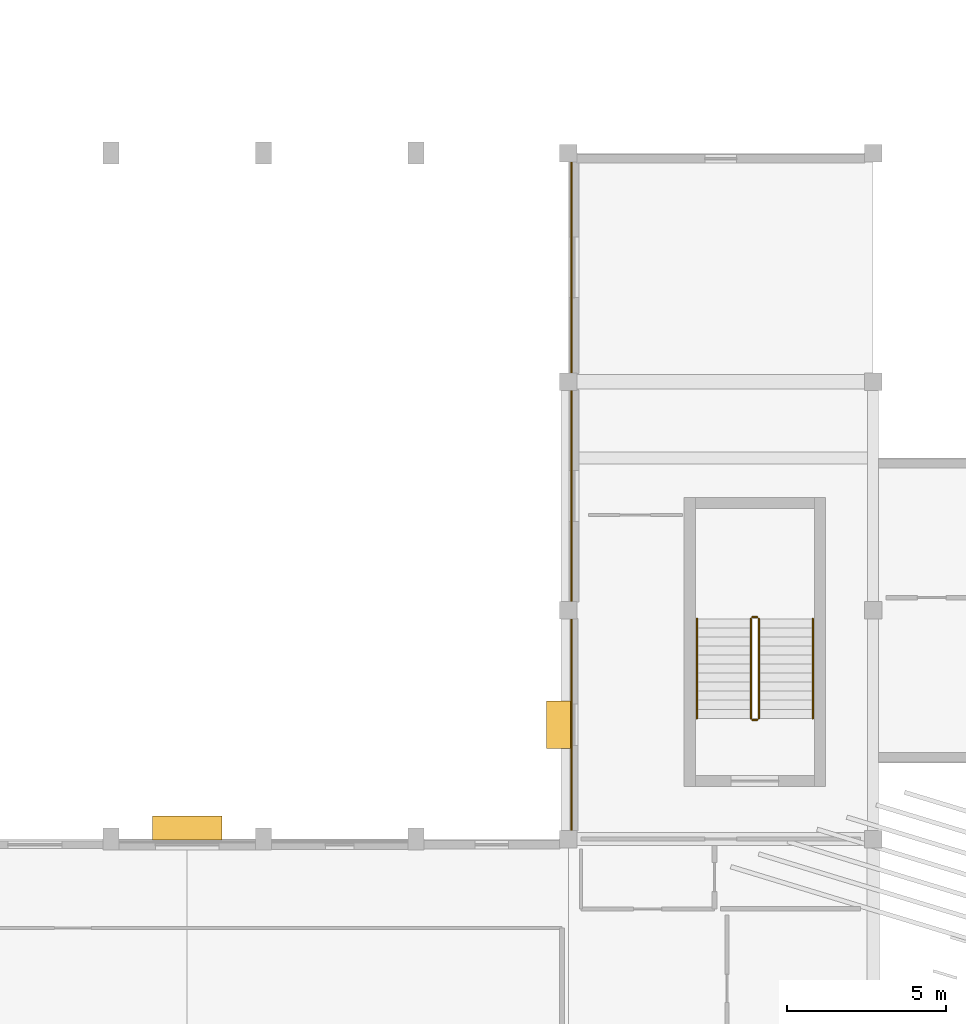
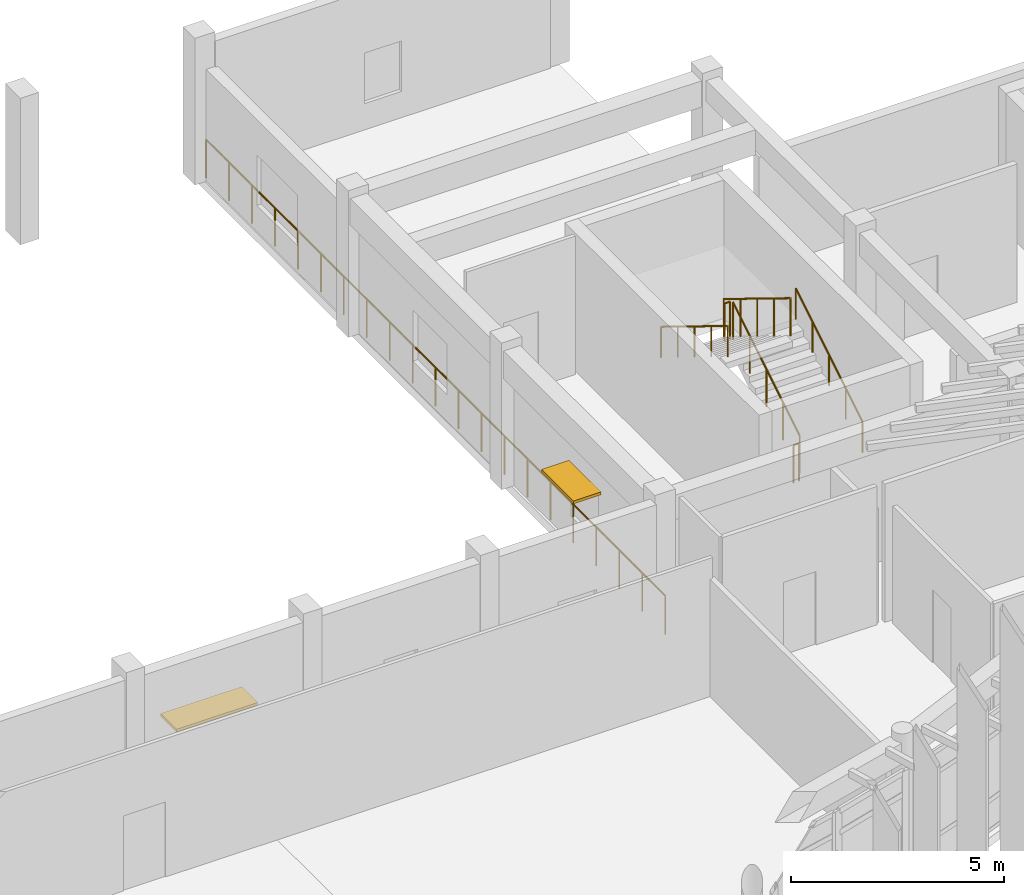
# One storey, part 42 of 47: 7 railings, 2 shading devices.
"""IFC4 building model written with IfcOpenShell, lengths in metres."""

from ifc_helpers import new_model, si_unit, direction, frame, origin, origin_2d, place, context, subcontext, project, spatial, rectangle, circle, extrude, material, layer, layer_set, type_object, element, save


model = new_model("IFC4")

# Units and contexts
model_context = context("Model", 3, precision=1e-05, world=origin(), true_north=direction((0.0, 1.0)))
body_context = subcontext(model_context, "Body", "Model", "MODEL_VIEW")
ifc_project = project(units=[si_unit("LENGTHUNIT", "METRE"), si_unit("AREAUNIT", "SQUARE_METRE"), si_unit("VOLUMEUNIT", "CUBIC_METRE"), si_unit("PLANEANGLEUNIT", "RADIAN"), si_unit("MASSUNIT", "GRAM", prefix="KILO")], contexts=[model_context])

# Site, building, storey
site_placement = place(None, origin())
site = spatial("IfcSite", under=ifc_project, at=site_placement, CompositionType="ELEMENT")
building_placement = place(site_placement, origin())
building = spatial("IfcBuilding", under=site, at=building_placement, Name="Brisavento Harbour Community Centre", CompositionType="ELEMENT")
storey_placement = place(building_placement, frame((0.0, 0.0, 8.699951171875)))
storey = spatial("IfcBuildingStorey", under=building, at=storey_placement, Name="L02", CompositionType="ELEMENT", Elevation=8.699951171875)

# Railings
ifc_material_1 = material(Name="Stainless steel 1.4401", Category="steel")
railing_type_1 = type_object("IfcRailingType", Name="RL-ATR-BAL", PredefinedType="BALUSTRADE", material=ifc_material_1)
railing_1_placement = place(storey_placement, frame((40.89990234375, 14.300048828125, 0.0)))
element("IfcRailing", 1, at=railing_1_placement, inside=storey, type_object=railing_type_1, Name="L02 atrium and gallery balustrade BAL-V1-HALL-E", PredefinedType="BALUSTRADE", context=body_context, shape_type="SweptSolid", body=[
    extrude(circle(Radius=0.02392578125, at=origin_2d()), frame((0.0, 0.0, 1.09619140625), z_axis=(0.0, 1.0, 0.0), x_axis=(-1.0, 0.0, 0.0)), (0.0, 0.0, 1.0), 21.550048828125),
    extrude(circle(Radius=0.02099609375, at=origin_2d()), origin(), (0.0, 0.0, 1.0), 1.072021484375),
    extrude(circle(Radius=0.02099609375, at=origin_2d()), frame((0.0, 1.077392578125, 0.0)), (0.0, 0.0, 1.0), 1.072021484375),
    extrude(circle(Radius=0.02099609375, at=origin_2d()), frame((0.0, 2.155029296875, 0.0)), (0.0, 0.0, 1.0), 1.072021484375),
    extrude(circle(Radius=0.02099609375, at=origin_2d()), frame((0.0, 3.232421875, 0.0)), (0.0, 0.0, 1.0), 1.072021484375),
    extrude(circle(Radius=0.02099609375, at=origin_2d()), frame((0.0, 4.31005859375, 0.0)), (0.0, 0.0, 1.0), 1.072021484375),
    extrude(circle(Radius=0.02099609375, at=origin_2d()), frame((0.0, 5.387451171875, 0.0)), (0.0, 0.0, 1.0), 1.072021484375),
    extrude(circle(Radius=0.02099609375, at=origin_2d()), frame((0.0, 6.465087890625, 0.0)), (0.0, 0.0, 1.0), 1.072021484375),
    extrude(circle(Radius=0.02099609375, at=origin_2d()), frame((0.0, 7.54248046875, 0.0)), (0.0, 0.0, 1.0), 1.072021484375),
    extrude(circle(Radius=0.02099609375, at=origin_2d()), frame((0.0, 8.6201171875, 0.0)), (0.0, 0.0, 1.0), 1.072021484375),
    extrude(circle(Radius=0.02099609375, at=origin_2d()), frame((0.0, 9.697509765625, 0.0)), (0.0, 0.0, 1.0), 1.072021484375),
    extrude(circle(Radius=0.02099609375, at=origin_2d()), frame((0.0, 10.77490234375, 0.0)), (0.0, 0.0, 1.0), 1.072021484375),
    extrude(circle(Radius=0.02099609375, at=origin_2d()), frame((0.0, 11.8525390625, 0.0)), (0.0, 0.0, 1.0), 1.072021484375),
    extrude(circle(Radius=0.02099609375, at=origin_2d()), frame((0.0, 12.929931640625, 0.0)), (0.0, 0.0, 1.0), 1.072021484375),
    extrude(circle(Radius=0.02099609375, at=origin_2d()), frame((0.0, 14.007568359375, 0.0)), (0.0, 0.0, 1.0), 1.072021484375),
    extrude(circle(Radius=0.02099609375, at=origin_2d()), frame((0.0, 15.0849609375, 0.0)), (0.0, 0.0, 1.0), 1.072021484375),
    extrude(circle(Radius=0.02099609375, at=origin_2d()), frame((0.0, 16.16259765625, 0.0)), (0.0, 0.0, 1.0), 1.072021484375),
    extrude(circle(Radius=0.02099609375, at=origin_2d()), frame((0.0, 17.239990234375, 0.0)), (0.0, 0.0, 1.0), 1.072021484375),
    extrude(circle(Radius=0.02099609375, at=origin_2d()), frame((0.0, 18.317626953125, 0.0)), (0.0, 0.0, 1.0), 1.072021484375),
    extrude(circle(Radius=0.02099609375, at=origin_2d()), frame((0.0, 19.39501953125, 0.0)), (0.0, 0.0, 1.0), 1.072021484375),
    extrude(circle(Radius=0.02099609375, at=origin_2d()), frame((0.0, 20.47265625, 0.0)), (0.0, 0.0, 1.0), 1.072021484375),
    extrude(circle(Radius=0.02099609375, at=origin_2d()), frame((0.0, 21.550048828125, 0.0)), (0.0, 0.0, 1.0), 1.072021484375),
])
railing_type_2 = type_object("IfcRailingType", Name="RL-ST-GUARD", PredefinedType="GUARDRAIL", material=ifc_material_1)
railing_2_placement = place(storey_placement, frame((46.800048828125, 18.199951171875, 0.175048828125)))
element("IfcRailing", 2, at=railing_2_placement, inside=storey, type_object=railing_type_2, Name="L02 ST-02 stair guard 1", PredefinedType="GUARDRAIL", context=body_context, shape_type="SweptSolid", body=[
    extrude(circle(Radius=0.02392578125, at=origin_2d()), frame((0.0, 0.0, 1.076171875), z_axis=(0.0, 0.852166034122, 0.523271488128), x_axis=(-1.0, 0.0, 0.0)), (0.0, 0.0, 1.0), 3.678955078125),
    extrude(circle(Radius=0.02099609375, at=origin_2d()), origin(), (0.0, 0.0, 1.0), 1.052001953125),
    extrude(circle(Radius=0.02099609375, at=origin_2d()), frame((0.0, 0.78369140625, 0.481201171875)), (0.0, 0.0, 1.0), 1.052001953125),
    extrude(circle(Radius=0.02099609375, at=origin_2d()), frame((0.0, 1.5673828125, 0.96240234375)), (0.0, 0.0, 1.0), 1.052001953125),
    extrude(circle(Radius=0.02099609375, at=origin_2d()), frame((0.0, 2.351318359375, 1.44384765625)), (0.0, 0.0, 1.0), 1.052001953125),
    extrude(circle(Radius=0.02099609375, at=origin_2d()), frame((0.0, 3.135009765625, 1.925048828125)), (0.0, 0.0, 1.0), 1.052001953125),
])
railing_3_placement = place(storey_placement, frame((46.75, 21.385009765625, 2.10009765625)))
element("IfcRailing", 3, at=railing_3_placement, inside=storey, type_object=railing_type_2, Name="L02 ST-02 stair guard 2", PredefinedType="GUARDRAIL", context=body_context, shape_type="SweptSolid", body=[
    extrude(circle(Radius=0.02392578125, at=origin_2d()), frame((0.0, 0.0, 1.076171875), z_axis=(-1.0, 0.0, 0.0), x_axis=(0.0, -1.0, 0.0)), (0.0, 0.0, 1.0), 0.14990234375),
    extrude(circle(Radius=0.02099609375, at=origin_2d()), origin(), (0.0, 0.0, 1.0), 1.052001953125),
    extrude(circle(Radius=0.02099609375, at=origin_2d()), frame((-0.14990234375, 0.0, 0.0)), (0.0, 0.0, 1.0), 1.052001953125),
])
railing_4_placement = place(storey_placement, frame((46.550048828125, 21.3349609375, 2.275146484375)))
element("IfcRailing", 4, at=railing_4_placement, inside=storey, type_object=railing_type_2, Name="L02 ST-02 stair guard 3", PredefinedType="GUARDRAIL", context=body_context, shape_type="SweptSolid", body=[
    extrude(circle(Radius=0.02392578125, at=origin_2d()), frame((0.0, 0.0, 1.076171875), z_axis=(0.0, -0.852195625947, 0.523223293744), x_axis=(1.0, 0.0, 0.0)), (0.0, 0.0, 1.0), 3.6787109375),
    extrude(circle(Radius=0.02099609375, at=origin_2d()), origin(), (0.0, 0.0, 1.0), 1.052001953125),
    extrude(circle(Radius=0.02099609375, at=origin_2d()), frame((0.0, -0.78369140625, 0.481201171875)), (0.0, 0.0, 1.0), 1.052001953125),
    extrude(circle(Radius=0.02099609375, at=origin_2d()), frame((0.0, -1.5673828125, 0.96240234375)), (0.0, 0.0, 1.0), 1.052001953125),
    extrude(circle(Radius=0.02099609375, at=origin_2d()), frame((0.0, -2.351318359375, 1.443603515625)), (0.0, 0.0, 1.0), 1.052001953125),
    extrude(circle(Radius=0.02099609375, at=origin_2d()), frame((0.0, -3.135009765625, 1.9248046875)), (0.0, 0.0, 1.0), 1.052001953125),
])
railing_5_placement = place(storey_placement, frame((46.75, 18.14990234375, 0.0)))
element("IfcRailing", 5, at=railing_5_placement, inside=storey, type_object=railing_type_2, Name="L02 ST-02 stair guard 4", PredefinedType="GUARDRAIL", context=body_context, shape_type="SweptSolid", body=[
    extrude(circle(Radius=0.02392578125, at=origin_2d()), frame((0.0, 0.0, 1.076171875), z_axis=(-1.0, 0.0, 0.0), x_axis=(0.0, -1.0, 0.0)), (0.0, 0.0, 1.0), 0.14990234375),
    extrude(circle(Radius=0.02099609375, at=origin_2d()), origin(), (0.0, 0.0, 1.0), 1.052001953125),
    extrude(circle(Radius=0.02099609375, at=origin_2d()), frame((-0.14990234375, 0.0, 0.0)), (0.0, 0.0, 1.0), 1.052001953125),
])
railing_type_3 = type_object("IfcRailingType", Name="RL-ST-HAND", PredefinedType="HANDRAIL", material=ifc_material_1)
railing_6_placement = place(storey_placement, frame((48.5, 18.199951171875, 0.175048828125)))
element("IfcRailing", 6, at=railing_6_placement, inside=storey, type_object=railing_type_3, Name="L02 ST-02 stair handrail 1", PredefinedType="HANDRAIL", context=body_context, shape_type="SweptSolid", body=[
    extrude(circle(Radius=0.02392578125, at=origin_2d()), frame((0.0, 0.0, 0.8759765625), z_axis=(0.0, 0.852166034122, 0.523271488128), x_axis=(-1.0, 0.0, 0.0)), (0.0, 0.0, 1.0), 3.678955078125),
    extrude(circle(Radius=0.02099609375, at=origin_2d()), origin(), (0.0, 0.0, 1.0), 0.851806640625),
    extrude(circle(Radius=0.02099609375, at=origin_2d()), frame((0.0, 0.78369140625, 0.481201171875)), (0.0, 0.0, 1.0), 0.851806640625),
    extrude(circle(Radius=0.02099609375, at=origin_2d()), frame((0.0, 1.5673828125, 0.96240234375)), (0.0, 0.0, 1.0), 0.851806640625),
    extrude(circle(Radius=0.02099609375, at=origin_2d()), frame((0.0, 2.351318359375, 1.44384765625)), (0.0, 0.0, 1.0), 0.851806640625),
    extrude(circle(Radius=0.02099609375, at=origin_2d()), frame((0.0, 3.135009765625, 1.925048828125)), (0.0, 0.0, 1.0), 0.851806640625),
])
railing_7_placement = place(storey_placement, frame((44.85009765625, 21.3349609375, 2.275146484375)))
element("IfcRailing", 7, at=railing_7_placement, inside=storey, type_object=railing_type_3, Name="L02 ST-02 stair handrail 2", PredefinedType="HANDRAIL", context=body_context, shape_type="SweptSolid", body=[
    extrude(circle(Radius=0.02392578125, at=origin_2d()), frame((0.0, 0.0, 0.8759765625), z_axis=(0.0, -0.852195625947, 0.523223293744), x_axis=(1.0, 0.0, 0.0)), (0.0, 0.0, 1.0), 3.6787109375),
    extrude(circle(Radius=0.02099609375, at=origin_2d()), origin(), (0.0, 0.0, 1.0), 0.851806640625),
    extrude(circle(Radius=0.02099609375, at=origin_2d()), frame((0.0, -0.78369140625, 0.481201171875)), (0.0, 0.0, 1.0), 0.851806640625),
    extrude(circle(Radius=0.02099609375, at=origin_2d()), frame((0.0, -1.5673828125, 0.96240234375)), (0.0, 0.0, 1.0), 0.851806640625),
    extrude(circle(Radius=0.02099609375, at=origin_2d()), frame((0.0, -2.351318359375, 1.443603515625)), (0.0, 0.0, 1.0), 0.851806640625),
    extrude(circle(Radius=0.02099609375, at=origin_2d()), frame((0.0, -3.135009765625, 1.9248046875)), (0.0, 0.0, 1.0), 0.851806640625),
])

# Shading devices
ifc_material_2 = material(Name="Off-white precast concrete C40/50", Category="concrete")
ifc_layer = layer(ifc_material_2, 0.080078125, Name="Off-white precast concrete C40/50")
ifc_layer_set = layer_set([ifc_layer], Name="Off-white precast concrete C40/50")
shading_device_type = type_object("IfcShadingDeviceType", Name="SHD-BLADE", PredefinedType="USERDEFINED", material=ifc_layer_set)
shading_device_1_placement = place(storey_placement, frame((40.489990234375, 18.0, 2.2099609375), z_axis=(0.0, 0.0, 1.0), x_axis=(0.0, 1.0, 0.0)))
element("IfcShadingDevice", 8, at=shading_device_1_placement, inside=storey, type_object=shading_device_type, Name="L02 precast storm sunshade blade 27", ObjectType="SUNSHADE BLADE", PredefinedType="USERDEFINED", context=body_context, shape_type="SweptSolid", body=[
    extrude(rectangle(XDim=1.5, YDim=0.75, at=origin_2d()), origin(), (0.0, 0.0, 1.0), 0.080078125),
])
shading_device_2_placement = place(storey_placement, frame((28.800048828125, 14.75, 1.760009765625), z_axis=(0.0, 0.0, 1.0), x_axis=(1.0, 0.0, 0.0)))
element("IfcShadingDevice", 9, at=shading_device_2_placement, inside=storey, type_object=shading_device_type, Name="L02 precast storm sunshade blade 29", ObjectType="SUNSHADE BLADE", PredefinedType="USERDEFINED", context=body_context, shape_type="SweptSolid", body=[
    extrude(rectangle(XDim=2.199951171875, YDim=0.75, at=origin_2d()), origin(), (0.0, 0.0, 1.0), 0.080078125),
])

save(model, "model.ifc")
